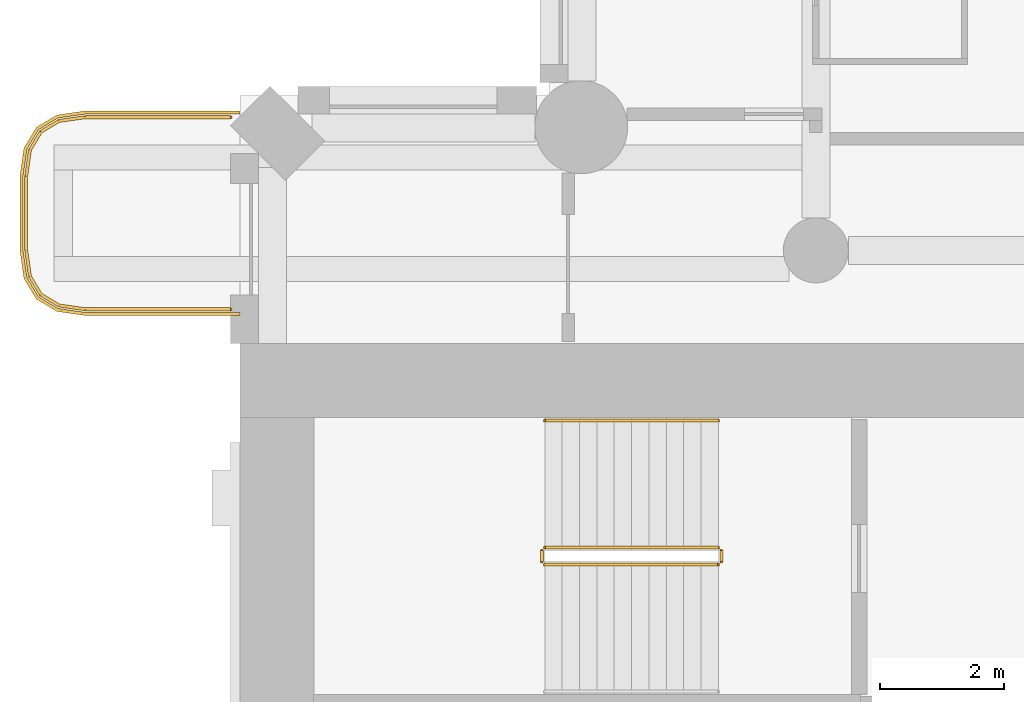
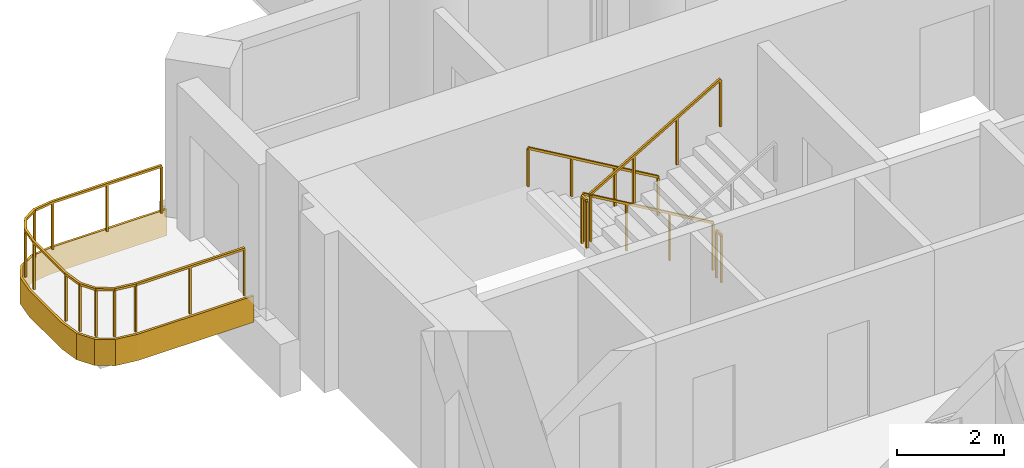
# One storey, part 17 of 20: 6 railings, 1 covering.
"""IFC4 building model written with IfcOpenShell, lengths in metres."""

from ifc_helpers import new_model, si_unit, direction, frame, origin, origin_2d, place, context, subcontext, project, spatial, polyline, rectangle, outline, extrude, material, layer, layer_set, type_object, element, save


model = new_model("IFC4")

# Units and contexts
model_context = context("Model", 3, precision=1e-05, world=origin(), true_north=direction((0.0, 1.0)))
body_context = subcontext(model_context, "Body", "Model", "MODEL_VIEW")
ifc_project = project(units=[si_unit("LENGTHUNIT", "METRE"), si_unit("AREAUNIT", "SQUARE_METRE"), si_unit("VOLUMEUNIT", "CUBIC_METRE"), si_unit("PLANEANGLEUNIT", "RADIAN"), si_unit("MASSUNIT", "GRAM", prefix="KILO")], contexts=[model_context])

# Site, building, storey
site_placement = place(None, origin())
site = spatial("IfcSite", under=ifc_project, at=site_placement, CompositionType="ELEMENT")
building_placement = place(site_placement, origin())
building = spatial("IfcBuilding", under=site, at=building_placement, Name="Cypress Arch Tower", CompositionType="ELEMENT")
storey_placement = place(building_placement, frame((0.0, 0.0, 120.300048828125)))
storey = spatial("IfcBuildingStorey", under=building, at=storey_placement, Name="L25", CompositionType="ELEMENT", Elevation=120.300048828125)

# Covering
ifc_material_1 = material(Name="White powder-coated aluminium fascia", Category="aluminium")
ifc_layer = layer(ifc_material_1, 0.050048828125)
ifc_layer_set = layer_set([ifc_layer], Name="Balcony fascia BF50")
covering_type = type_object("IfcCoveringType", Name="Balcony fascia BF50", PredefinedType="CLADDING", material=ifc_layer_set)
covering_placement = place(storey_placement, frame((0.0, 0.0, -0.60009765625)))
element("IfcCovering", 1, at=covering_placement, inside=storey, type_object=covering_type, Name="Balcony fascia L25-A00W0", PredefinedType="CLADDING", context=body_context, shape_type="SweptSolid", body=[
    extrude(outline(polyline([(-32.503662109375, 16.449951171875), (-32.95458984375, 16.514404296875), (-33.286376953125, 16.713623046875), (-33.485595703125, 17.04541015625), (-33.550048828125, 17.496337890625), (-33.550048828125, 18.70361328125), (-33.485595703125, 19.154541015625), (-33.286376953125, 19.486328125), (-32.95458984375, 19.685546875), (-32.503662109375, 19.75), (-30.0009765625, 19.75), (-30.0009765625, 19.699951171875), (-32.5, 19.699951171875), (-32.9375, 19.637451171875), (-33.25, 19.449951171875), (-33.4375, 19.137451171875), (-33.5, 18.699951171875), (-33.5, 17.5), (-33.4375, 17.0625), (-33.25, 16.75), (-32.9375, 16.5625), (-32.5, 16.5), (-30.0009765625, 16.5), (-30.0009765625, 16.449951171875), (-32.503662109375, 16.449951171875)])), origin(), (0.0, 0.0, 1.0), 0.60009765625),
])

# Railings
ifc_material_2 = material(Name="Powder-coated steel posts and rods, 100 mm clear between rods", Category="steel")
railing_type_1 = type_object("IfcRailingType", Name="Balcony guard GR1100", PredefinedType="GUARDRAIL", material=ifc_material_2)
railing_1_placement = place(storey_placement, frame((-30.14990234375, 16.550048828125, 0.0)))
element("IfcRailing", 2, at=railing_1_placement, inside=storey, type_object=railing_type_1, Name="Balcony guard L25-A00W0", PredefinedType="GUARDRAIL", context=body_context, shape_type="SweptSolid", body=[
    extrude(rectangle(XDim=0.050048828125, YDim=0.050048828125, at=origin_2d()), frame((0.0, 0.0, 1.0751953125), z_axis=(-1.0, 0.0, 0.0), x_axis=(0.0, -1.0, 0.0)), (0.0, 0.0, 1.0), 2.346435546875),
    extrude(rectangle(XDim=0.050048828125, YDim=0.050048828125, at=origin_2d()), frame((-2.346435546875, 0.0, 1.0751953125), z_axis=(-0.989960888959, 0.141341566184, 0.0), x_axis=(-0.141341566184, -0.989960888959, 0.0)), (0.0, 0.0, 1.0), 0.428466796875),
    extrude(rectangle(XDim=0.050048828125, YDim=0.050048828125, at=origin_2d()), frame((-2.7705078125, 0.060546875, 1.0751953125), z_axis=(-0.857681904839, 0.514180659021, 0.0), x_axis=(-0.514180659021, -0.857681904839, 0.0)), (0.0, 0.0, 1.0), 0.341796875),
    extrude(rectangle(XDim=0.050048828125, YDim=0.050048828125, at=origin_2d()), frame((-3.063720703125, 0.236328125, 1.0751953125), z_axis=(-0.514180659021, 0.857681904839, 0.0), x_axis=(-0.857681904839, -0.514180659021, 0.0)), (0.0, 0.0, 1.0), 0.341796875),
    extrude(rectangle(XDim=0.050048828125, YDim=0.050048828125, at=origin_2d()), frame((-3.239501953125, 0.529541015625, 1.0751953125), z_axis=(-0.141341566184, 0.989960888959, 0.0), x_axis=(-0.989960888959, -0.141341566184, 0.0)), (0.0, 0.0, 1.0), 0.428466796875),
    extrude(rectangle(XDim=0.050048828125, YDim=0.050048828125, at=origin_2d()), frame((-3.300048828125, 0.95361328125, 1.0751953125), z_axis=(0.0, 1.0, 0.0), x_axis=(-1.0, 0.0, 0.0)), (0.0, 0.0, 1.0), 1.19287109375),
    extrude(rectangle(XDim=0.050048828125, YDim=0.050048828125, at=origin_2d()), frame((-3.300048828125, 2.146484375, 1.0751953125), z_axis=(0.141421356237, 0.989949493661, 0.0), x_axis=(-0.989949493661, 0.141421356237, 0.0)), (0.0, 0.0, 1.0), 0.42822265625),
    extrude(rectangle(XDim=0.050048828125, YDim=0.050048828125, at=origin_2d()), frame((-3.239501953125, 2.5703125, 1.0751953125), z_axis=(0.514180659021, 0.857681904839, 0.0), x_axis=(-0.857681904839, 0.514180659021, 0.0)), (0.0, 0.0, 1.0), 0.341796875),
    extrude(rectangle(XDim=0.050048828125, YDim=0.050048828125, at=origin_2d()), frame((-3.063720703125, 2.863525390625, 1.0751953125), z_axis=(0.857681904839, 0.514180659021, 0.0), x_axis=(-0.514180659021, 0.857681904839, 0.0)), (0.0, 0.0, 1.0), 0.341796875),
    extrude(rectangle(XDim=0.050048828125, YDim=0.050048828125, at=origin_2d()), frame((-2.7705078125, 3.039306640625, 1.0751953125), z_axis=(0.989960888959, 0.141341566184, 0.0), x_axis=(-0.141341566184, 0.989960888959, 0.0)), (0.0, 0.0, 1.0), 0.428466796875),
    extrude(rectangle(XDim=0.050048828125, YDim=0.050048828125, at=origin_2d()), frame((-2.346435546875, 3.099853515625, 1.0751953125), z_axis=(1.0, 0.0, 0.0), x_axis=(0.0, 1.0, 0.0)), (0.0, 0.0, 1.0), 2.346435546875),
    extrude(rectangle(XDim=0.0400390625, YDim=0.0400390625, at=origin_2d()), origin(), (0.0, 0.0, 1.0), 1.050048828125),
    extrude(rectangle(XDim=0.0400390625, YDim=0.0400390625, at=origin_2d()), frame((-1.17333984375, 0.0, 0.0)), (0.0, 0.0, 1.0), 1.050048828125),
    extrude(rectangle(XDim=0.0400390625, YDim=0.0400390625, at=origin_2d()), frame((-2.346435546875, 0.0, 0.0)), (0.0, 0.0, 1.0), 1.050048828125),
    extrude(rectangle(XDim=0.0400390625, YDim=0.0400390625, at=origin_2d()), frame((-2.7705078125, 0.060546875, 0.0)), (0.0, 0.0, 1.0), 1.050048828125),
    extrude(rectangle(XDim=0.0400390625, YDim=0.0400390625, at=origin_2d()), frame((-3.063720703125, 0.236328125, 0.0)), (0.0, 0.0, 1.0), 1.050048828125),
    extrude(rectangle(XDim=0.0400390625, YDim=0.0400390625, at=origin_2d()), frame((-3.239501953125, 0.529541015625, 0.0)), (0.0, 0.0, 1.0), 1.050048828125),
    extrude(rectangle(XDim=0.0400390625, YDim=0.0400390625, at=origin_2d()), frame((-3.300048828125, 0.95361328125, 0.0)), (0.0, 0.0, 1.0), 1.050048828125),
    extrude(rectangle(XDim=0.0400390625, YDim=0.0400390625, at=origin_2d()), frame((-3.300048828125, 2.146484375, 0.0)), (0.0, 0.0, 1.0), 1.050048828125),
    extrude(rectangle(XDim=0.0400390625, YDim=0.0400390625, at=origin_2d()), frame((-3.239501953125, 2.5703125, 0.0)), (0.0, 0.0, 1.0), 1.050048828125),
    extrude(rectangle(XDim=0.0400390625, YDim=0.0400390625, at=origin_2d()), frame((-3.063720703125, 2.863525390625, 0.0)), (0.0, 0.0, 1.0), 1.050048828125),
    extrude(rectangle(XDim=0.0400390625, YDim=0.0400390625, at=origin_2d()), frame((-2.7705078125, 3.039306640625, 0.0)), (0.0, 0.0, 1.0), 1.050048828125),
    extrude(rectangle(XDim=0.0400390625, YDim=0.0400390625, at=origin_2d()), frame((-2.346435546875, 3.099853515625, 0.0)), (0.0, 0.0, 1.0), 1.050048828125),
    extrude(rectangle(XDim=0.0400390625, YDim=0.0400390625, at=origin_2d()), frame((-1.17333984375, 3.099853515625, 0.0)), (0.0, 0.0, 1.0), 1.050048828125),
    extrude(rectangle(XDim=0.0400390625, YDim=0.0400390625, at=origin_2d()), frame((0.0, 3.099853515625, 0.0)), (0.0, 0.0, 1.0), 1.050048828125),
])
ifc_material_3 = material(Name="Black powder-coated steel square bar 48 mm", Category="steel")
railing_type_2 = type_object("IfcRailingType", Name="Stair handrail HR1", PredefinedType="HANDRAIL", material=ifc_material_3)
railing_2_placement = place(storey_placement, frame((-22.27490234375, 14.75, 0.16357421875)))
element("IfcRailing", 3, at=railing_2_placement, inside=storey, type_object=railing_type_2, Name="L25 B stair handrail 1", PredefinedType="HANDRAIL", context=body_context, shape_type="SweptSolid", body=[
    extrude(rectangle(XDim=0.048095703125, YDim=0.048095703125, at=origin_2d()), frame((0.0, 0.0, 0.8759765625), z_axis=(-0.863360870873, 0.0, 0.504586966384), x_axis=(0.0, -1.0, 0.0)), (0.0, 0.0, 1.0), 3.2431640625),
    extrude(rectangle(XDim=0.0419921875, YDim=0.0419921875, at=origin_2d()), origin(), (0.0, 0.0, 1.0), 0.851806640625),
    extrude(rectangle(XDim=0.0419921875, YDim=0.0419921875, at=origin_2d()), frame((-0.933349609375, 0.0, 0.54541015625)), (0.0, 0.0, 1.0), 0.851806640625),
    extrude(rectangle(XDim=0.0419921875, YDim=0.0419921875, at=origin_2d()), frame((-1.86669921875, 0.0, 1.091064453125)), (0.0, 0.0, 1.0), 0.851806640625),
    extrude(rectangle(XDim=0.0419921875, YDim=0.0419921875, at=origin_2d()), frame((-2.800048828125, 0.0, 1.636474609375)), (0.0, 0.0, 1.0), 0.851806640625),
])
ifc_material_4 = material(Name="Black powder-coated steel balusters", Category="steel")
railing_type_3 = type_object("IfcRailingType", Name="Stair well guard G1", PredefinedType="GUARDRAIL", material=ifc_material_4)
railing_3_placement = place(storey_placement, frame((-22.27490234375, 12.699951171875, 0.16357421875)))
element("IfcRailing", 4, at=railing_3_placement, inside=storey, type_object=railing_type_3, Name="L25 B stair guard 1", PredefinedType="GUARDRAIL", context=body_context, shape_type="SweptSolid", body=[
    extrude(rectangle(XDim=0.048095703125, YDim=0.048095703125, at=origin_2d()), frame((0.0, 0.0, 1.076171875), z_axis=(-0.863360870873, 0.0, 0.504586966384), x_axis=(0.0, -1.0, 0.0)), (0.0, 0.0, 1.0), 3.2431640625),
    extrude(rectangle(XDim=0.0419921875, YDim=0.0419921875, at=origin_2d()), origin(), (0.0, 0.0, 1.0), 1.052001953125),
    extrude(rectangle(XDim=0.0419921875, YDim=0.0419921875, at=origin_2d()), frame((-0.933349609375, 0.0, 0.54541015625)), (0.0, 0.0, 1.0), 1.052001953125),
    extrude(rectangle(XDim=0.0419921875, YDim=0.0419921875, at=origin_2d()), frame((-1.86669921875, 0.0, 1.091064453125)), (0.0, 0.0, 1.0), 1.052001953125),
    extrude(rectangle(XDim=0.0419921875, YDim=0.0419921875, at=origin_2d()), frame((-2.800048828125, 0.0, 1.636474609375)), (0.0, 0.0, 1.0), 1.052001953125),
])
railing_4_placement = place(storey_placement, frame((-25.125, 12.64990234375, 1.800048828125)))
element("IfcRailing", 5, at=railing_4_placement, inside=storey, type_object=railing_type_3, Name="L25 B stair guard 2", PredefinedType="GUARDRAIL", context=body_context, shape_type="SweptSolid", body=[
    extrude(rectangle(XDim=0.048095703125, YDim=0.048095703125, at=origin_2d()), frame((0.0, 0.0, 1.076171875), z_axis=(0.0, -1.0, 0.0), x_axis=(1.0, 0.0, 0.0)), (0.0, 0.0, 1.0), 0.1748046875),
    extrude(rectangle(XDim=0.0419921875, YDim=0.0419921875, at=origin_2d()), origin(), (0.0, 0.0, 1.0), 1.052001953125),
    extrude(rectangle(XDim=0.0419921875, YDim=0.0419921875, at=origin_2d()), frame((0.0, -0.1748046875, 0.0)), (0.0, 0.0, 1.0), 1.052001953125),
])
railing_5_placement = place(storey_placement, frame((-25.074951171875, 12.425048828125, 1.963623046875)))
element("IfcRailing", 6, at=railing_5_placement, inside=storey, type_object=railing_type_3, Name="L25 B stair guard 3", PredefinedType="GUARDRAIL", context=body_context, shape_type="SweptSolid", body=[
    extrude(rectangle(XDim=0.048095703125, YDim=0.048095703125, at=origin_2d()), frame((0.0, 0.0, 1.076171875), z_axis=(0.863393664356, 0.0, 0.504530851732), x_axis=(0.0, 1.0, 0.0)), (0.0, 0.0, 1.0), 3.2431640625),
    extrude(rectangle(XDim=0.0419921875, YDim=0.0419921875, at=origin_2d()), origin(), (0.0, 0.0, 1.0), 1.052001953125),
    extrude(rectangle(XDim=0.0419921875, YDim=0.0419921875, at=origin_2d()), frame((0.933349609375, 0.0, 0.54541015625)), (0.0, 0.0, 1.0), 1.052001953125),
    extrude(rectangle(XDim=0.0419921875, YDim=0.0419921875, at=origin_2d()), frame((1.86669921875, 0.0, 1.0908203125)), (0.0, 0.0, 1.0), 1.052001953125),
    extrude(rectangle(XDim=0.0419921875, YDim=0.0419921875, at=origin_2d()), frame((2.800048828125, 0.0, 1.63623046875)), (0.0, 0.0, 1.0), 1.052001953125),
])
railing_6_placement = place(storey_placement, frame((-22.22509765625, 12.64990234375, 0.0)))
element("IfcRailing", 7, at=railing_6_placement, inside=storey, type_object=railing_type_3, Name="L25 B stair guard 4", PredefinedType="GUARDRAIL", context=body_context, shape_type="SweptSolid", body=[
    extrude(rectangle(XDim=0.048095703125, YDim=0.048095703125, at=origin_2d()), frame((0.0, 0.0, 1.076171875), z_axis=(0.0, -1.0, 0.0), x_axis=(1.0, 0.0, 0.0)), (0.0, 0.0, 1.0), 0.1748046875),
    extrude(rectangle(XDim=0.0419921875, YDim=0.0419921875, at=origin_2d()), origin(), (0.0, 0.0, 1.0), 1.052001953125),
    extrude(rectangle(XDim=0.0419921875, YDim=0.0419921875, at=origin_2d()), frame((0.0, -0.1748046875, 0.0)), (0.0, 0.0, 1.0), 1.052001953125),
])

save(model, "model.ifc")
